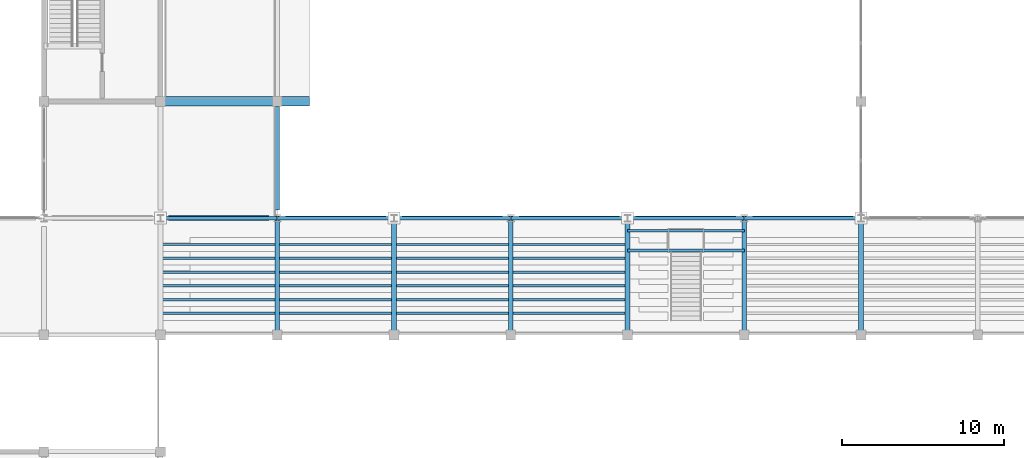
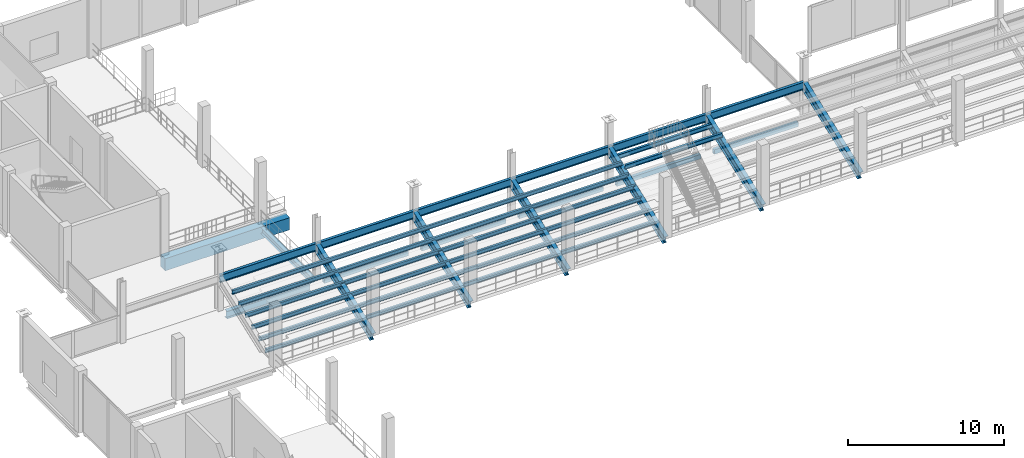
# One storey, part 45 of 120: 28 beams.
"""IFC4 building model written with IfcOpenShell, lengths in metres."""

from ifc_helpers import new_model, si_unit, direction, frame, origin, origin_2d, place, context, subcontext, project, spatial, rectangle, hollow_rectangle, i_section, extrude, material, material_profile, profile_set, type_object, element, save


model = new_model("IFC4")

# Units and contexts
model_context = context("Model", 3, precision=1e-05, world=origin(), true_north=direction((0.0, 1.0)))
body_context = subcontext(model_context, "Body", "Model", "MODEL_VIEW")
ifc_project = project(units=[si_unit("LENGTHUNIT", "METRE"), si_unit("AREAUNIT", "SQUARE_METRE"), si_unit("VOLUMEUNIT", "CUBIC_METRE"), si_unit("PLANEANGLEUNIT", "RADIAN"), si_unit("MASSUNIT", "GRAM", prefix="KILO")], contexts=[model_context])

# Site, building, storey
site_placement = place(None, origin())
site = spatial("IfcSite", under=ifc_project, at=site_placement, CompositionType="ELEMENT")
building_placement = place(site_placement, origin())
building = spatial("IfcBuilding", under=site, at=building_placement, Name="Vesperath Aquatics Centre", CompositionType="ELEMENT")
storey_placement = place(building_placement, frame((0.0, 0.0, 10.199951171875)))
storey = spatial("IfcBuildingStorey", under=building, at=storey_placement, Name="L02", CompositionType="ELEMENT", Elevation=10.199951171875)

# Beams
ifc_material_1 = material(Name="Concrete C40", Category="concrete")
ifc_material_profile_1 = material_profile(ifc_material_1, rectangle(XDim=0.580078125, YDim=0.949951171875, at=origin_2d()), Name="RC 580x950")
ifc_profile_set_1 = profile_set([ifc_material_profile_1], Name="Concrete C40")
beam_type_1 = type_object("IfcBeamType", Name="BM-DP05", PredefinedType="BEAM", material=ifc_profile_set_1)
beam_1_placement = place(storey_placement, frame((14.39990234375, 93.60009765625, -0.72998046875), z_axis=(1.0, 0.0, 0.0), x_axis=(0.0, 1.0, 0.0)))
element("IfcBeam", 1, at=beam_1_placement, inside=storey, type_object=beam_type_1, Name="Diving Platform Girder DPB5 DP_10M-S", PredefinedType="BEAM", context=body_context, shape_type="SweptSolid", body=[
    extrude(rectangle(XDim=0.580078125, YDim=0.949951171875, at=origin_2d()), origin(), (0.0, 0.0, 1.0), 9.2001953125),
])
ifc_material_2 = material(Name="Steel Q355C", Category="steel")
ifc_material_profile_2 = material_profile(ifc_material_2, i_section(OverallWidth=0.300048828125, OverallDepth=0.587890625, WebThickness=0.011962890625, FlangeThickness=0.02001953125, FilletRadius=0.028076171875, at=origin_2d()), Name="HM 588x300x12x20")
ifc_profile_set_2 = profile_set([ifc_material_profile_2], Name="Steel Q355C")
beam_type_2 = type_object("IfcBeamType", Name="BM-G09", PredefinedType="BEAM", material=ifc_profile_set_2)
beam_2_placement = place(storey_placement, frame((14.89990234375, 86.39990234375, -0.553955078125), z_axis=(1.0, 0.0, 0.0), x_axis=(0.0, 1.0, 0.0)))
element("IfcBeam", 2, at=beam_2_placement, inside=storey, type_object=beam_type_2, Name="Floor Girder B09 L02 N 3-4", PredefinedType="BEAM", context=body_context, shape_type="SweptSolid", body=[
    extrude(i_section(OverallWidth=0.300048828125, OverallDepth=0.587890625, WebThickness=0.011962890625, FlangeThickness=0.02001953125, FilletRadius=0.028076171875, at=origin_2d()), origin(), (0.0, 0.0, 1.0), 6.2001953125),
])
ifc_material_profile_3 = material_profile(ifc_material_2, i_section(OverallWidth=0.300048828125, OverallDepth=0.488037109375, WebThickness=0.010986328125, FlangeThickness=0.01806640625, FilletRadius=0.02587890625, at=origin_2d()), Name="HM 488x300x11x18")
ifc_profile_set_3 = profile_set([ifc_material_profile_3], Name="Steel Q355C")
beam_type_3 = type_object("IfcBeamType", Name="BM-G10", PredefinedType="BEAM", material=ifc_profile_set_3)
beam_3_placement = place(storey_placement, frame((21.60009765625, 86.89990234375, -0.50390625), z_axis=(0.0, 1.0, 0.0), x_axis=(-1.0, 0.0, 0.0)))
element("IfcBeam", 3, at=beam_3_placement, inside=storey, type_object=beam_type_3, Name="Floor Girder B10 L02 4 N-P", PredefinedType="BEAM", context=body_context, shape_type="SweptSolid", body=[
    extrude(i_section(OverallWidth=0.300048828125, OverallDepth=0.488037109375, WebThickness=0.010986328125, FlangeThickness=0.01806640625, FilletRadius=0.02587890625, at=origin_2d()), origin(), (0.0, 0.0, 1.0), 6.400146484375),
])
ifc_material_profile_4 = material_profile(ifc_material_2, i_section(OverallWidth=0.175048828125, OverallDepth=0.35009765625, WebThickness=0.007080078125, FlangeThickness=0.010986328125, FilletRadius=0.012939453125, at=origin_2d()), Name="HN 350x175x7x11")
ifc_profile_set_4 = profile_set([ifc_material_profile_4], Name="Steel Q355C")
beam_type_4 = type_object("IfcBeamType", Name="BM-J05", PredefinedType="JOIST", material=ifc_profile_set_4)
for number, where, z_axis, x_axis, name in (
    (4, (43.199951171875, 84.39697265625, 2.25), (1.0, 0.0, 0.0), (0.0, 1.0, 0.0), "Upper Vomitory Landing Beam J05 VOM08-A"),
    (5, (43.199951171875, 85.6201171875, 2.25), (1.0, 0.0, 0.0), (0.0, 1.0, 0.0), "Upper Vomitory Landing Beam J05 VOM08-B"),
):
    element("IfcBeam", number, at=place(storey_placement, frame(where, z_axis=z_axis, x_axis=x_axis)), inside=storey, type_object=beam_type_4, Name=name, PredefinedType="JOIST", context=body_context, shape_type="SweptSolid", body=[
        extrude(i_section(OverallWidth=0.175048828125, OverallDepth=0.35009765625, WebThickness=0.007080078125, FlangeThickness=0.010986328125, FilletRadius=0.012939453125, at=origin_2d()), origin(), (0.0, 0.0, 1.0), 7.199951171875),
    ])
ifc_material_profile_5 = material_profile(ifc_material_2, i_section(OverallWidth=0.14990234375, OverallDepth=0.300048828125, WebThickness=0.006591796875, FlangeThickness=0.009033203125, FilletRadius=0.012939453125, at=origin_2d()), Name="HN 300x150x6.5x9")
ifc_profile_set_5 = profile_set([ifc_material_profile_5], Name="Steel Q355C")
beam_type_5 = type_object("IfcBeamType", Name="BM-J06", PredefinedType="JOIST", material=ifc_profile_set_5)
for number, where, z_axis, x_axis, name in (
    (6, (14.39990234375, 80.52490234375, 0.320068359375), (1.0, 0.0, 0.0), (0.0, 1.0, 0.0), "Upper Tier Bearer Beam J06 N-R1-U1M"),
    (7, (14.39990234375, 81.375, 0.719970703125), (1.0, 0.0, 0.0), (0.0, 1.0, 0.0), "Upper Tier Bearer Beam J06 N-R2-U1M"),
    (8, (14.39990234375, 82.22509765625, 1.1201171875), (1.0, 0.0, 0.0), (0.0, 1.0, 0.0), "Upper Tier Bearer Beam J06 N-R3-U1M"),
    (9, (14.39990234375, 83.074951171875, 1.52001953125), (1.0, 0.0, 0.0), (0.0, 1.0, 0.0), "Upper Tier Bearer Beam J06 N-R4-U1M"),
    (10, (14.39990234375, 83.925048828125, 1.920166015625), (1.0, 0.0, 0.0), (0.0, 1.0, 0.0), "Upper Tier Bearer Beam J06 N-R5-U1M"),
    (11, (14.39990234375, 84.77490234375, 2.320068359375), (1.0, 0.0, 0.0), (0.0, 1.0, 0.0), "Upper Tier Bearer Beam J06 N-R6-U1M"),
):
    element("IfcBeam", number, at=place(storey_placement, frame(where, z_axis=z_axis, x_axis=x_axis)), inside=storey, type_object=beam_type_5, Name=name, PredefinedType="JOIST", context=body_context, shape_type="SweptSolid", body=[
        extrude(i_section(OverallWidth=0.14990234375, OverallDepth=0.300048828125, WebThickness=0.006591796875, FlangeThickness=0.009033203125, FilletRadius=0.012939453125, at=origin_2d()), origin(), (0.0, 0.0, 1.0), 28.800048828125),
    ])
ifc_material_3 = material(Name="Steel Q355D", Category="steel")
ifc_material_profile_6 = material_profile(ifc_material_3, i_section(OverallWidth=0.300048828125, OverallDepth=0.699951171875, WebThickness=0.012939453125, FlangeThickness=0.02392578125, FilletRadius=0.028076171875, at=origin_2d()), Name="HN 700x300x13x24")
ifc_profile_set_6 = profile_set([ifc_material_profile_6], Name="Steel Q355D")
beam_type_6 = type_object("IfcBeamType", Name="BM-RK02", PredefinedType="USERDEFINED", material=ifc_profile_set_6)
for number, where, z_axis, x_axis, name in (
    (12, (21.60009765625, 79.199951171875, -0.300048828125), (0.0, 0.936320043878, 0.351147797134), (-1.0, 0.0, 0.0), "Upper Stand RAKER Beam RK02 North 4"),
    (13, (28.800048828125, 79.199951171875, -0.300048828125), (0.0, 0.936320043878, 0.351147797134), (-1.0, 0.0, 0.0), "Upper Stand RAKER Beam RK02 North 5"),
    (14, (36.0, 79.199951171875, -0.300048828125), (0.0, 0.936320043878, 0.351147797134), (-1.0, 0.0, 0.0), "Upper Stand RAKER Beam RK02 North 6"),
    (15, (43.199951171875, 79.199951171875, -0.300048828125), (0.0, 0.936320043878, 0.351147797134), (-1.0, 0.0, 0.0), "Upper Stand RAKER Beam RK02 North 7"),
    (16, (50.39990234375, 79.199951171875, -0.300048828125), (0.0, 0.936320043878, 0.351147797134), (-1.0, 0.0, 0.0), "Upper Stand RAKER Beam RK02 North 8"),
    (17, (57.60009765625, 79.199951171875, -0.300048828125), (0.0, 0.936320043878, 0.351147797134), (-1.0, 0.0, 0.0), "Upper Stand RAKER Beam RK02 North 9"),
):
    element("IfcBeam", number, at=place(storey_placement, frame(where, z_axis=z_axis, x_axis=x_axis)), inside=storey, type_object=beam_type_6, Name=name, ObjectType="RAKER", PredefinedType="USERDEFINED", context=body_context, shape_type="SweptSolid", body=[
        extrude(i_section(OverallWidth=0.300048828125, OverallDepth=0.699951171875, WebThickness=0.012939453125, FlangeThickness=0.02392578125, FilletRadius=0.028076171875, at=origin_2d()), origin(), (0.0, 0.0, 1.0), 7.689697265625),
    ])
ifc_material_profile_7 = material_profile(ifc_material_3, i_section(OverallWidth=0.199951171875, OverallDepth=0.60009765625, WebThickness=0.010986328125, FlangeThickness=0.01708984375, FilletRadius=0.02197265625, at=origin_2d()), Name="HN 600x200x11x17")
ifc_profile_set_7 = profile_set([ifc_material_profile_7], Name="Steel Q355D")
beam_type_7 = type_object("IfcBeamType", Name="BM-RKH1", PredefinedType="BEAM", material=ifc_profile_set_7)
beam_4_placement = place(storey_placement, frame((14.419921875, 86.39990234375, 2.400146484375), z_axis=(1.0, 0.0, 0.0), x_axis=(0.0, 1.0, 0.0)))
element("IfcBeam", 18, at=beam_4_placement, inside=storey, type_object=beam_type_7, Name="Upper Bowl Rim Girder RKH1 North 3-4", PredefinedType="BEAM", context=body_context, shape_type="SweptSolid", body=[
    extrude(i_section(OverallWidth=0.199951171875, OverallDepth=0.60009765625, WebThickness=0.010986328125, FlangeThickness=0.01708984375, FilletRadius=0.02197265625, at=origin_2d()), origin(), (0.0, 0.0, 1.0), 7.16015625),
])
for number, where, z_axis, x_axis, name in (
    (19, (21.6201171875, 86.39990234375, 2.400146484375), (1.0, 0.0, 0.0), (0.0, 1.0, 0.0), "Upper Bowl Rim Girder RKH1 North 4-5"),
    (20, (28.820068359375, 86.39990234375, 2.400146484375), (1.0, 0.0, 0.0), (0.0, 1.0, 0.0), "Upper Bowl Rim Girder RKH1 North 5-6"),
    (21, (36.02001953125, 86.39990234375, 2.400146484375), (1.0, 0.0, 0.0), (0.0, 1.0, 0.0), "Upper Bowl Rim Girder RKH1 North 6-7"),
    (22, (43.219970703125, 86.39990234375, 2.400146484375), (1.0, 0.0, 0.0), (0.0, 1.0, 0.0), "Upper Bowl Rim Girder RKH1 North 7-8"),
):
    element("IfcBeam", number, at=place(storey_placement, frame(where, z_axis=z_axis, x_axis=x_axis)), inside=storey, type_object=beam_type_7, Name=name, PredefinedType="BEAM", context=body_context, shape_type="SweptSolid", body=[
        extrude(i_section(OverallWidth=0.199951171875, OverallDepth=0.60009765625, WebThickness=0.010986328125, FlangeThickness=0.01708984375, FilletRadius=0.02197265625, at=origin_2d()), origin(), (0.0, 0.0, 1.0), 7.159912109375),
    ])
beam_5_placement = place(storey_placement, frame((50.419921875, 86.39990234375, 2.400146484375), z_axis=(1.0, 0.0, 0.0), x_axis=(0.0, 1.0, 0.0)))
element("IfcBeam", 23, at=beam_5_placement, inside=storey, type_object=beam_type_7, Name="Upper Bowl Rim Girder RKH1 North 8-9", PredefinedType="BEAM", context=body_context, shape_type="SweptSolid", body=[
    extrude(i_section(OverallWidth=0.199951171875, OverallDepth=0.60009765625, WebThickness=0.010986328125, FlangeThickness=0.01708984375, FilletRadius=0.02197265625, at=origin_2d()), origin(), (0.0, 0.0, 1.0), 7.16015625),
])
ifc_material_profile_8 = material_profile(ifc_material_3, hollow_rectangle(XDim=0.25, YDim=0.35009765625, WallThickness=0.011962890625, at=origin_2d()), Name="RHS 350x250x12")
ifc_profile_set_8 = profile_set([ifc_material_profile_8], Name="Steel Q355D")
beam_type_8 = type_object("IfcBeamType", Name="BM-SP02", PredefinedType="SPANDREL", material=ifc_profile_set_8)
for number, where, z_axis, x_axis, name in (
    (24, (22.10009765625, 86.39990234375, -0.43505859375), (1.0, 0.0, 0.0), (0.0, 1.0, 0.0), "Floor Girder SP02 L02 N 4-5"),
    (25, (29.300048828125, 86.39990234375, -0.43505859375), (1.0, 0.0, 0.0), (0.0, 1.0, 0.0), "Floor Girder SP02 L02 N 5-6"),
    (26, (36.5, 86.39990234375, -0.43505859375), (1.0, 0.0, 0.0), (0.0, 1.0, 0.0), "Floor Girder SP02 L02 N 6-7"),
    (27, (43.699951171875, 86.39990234375, -0.43505859375), (1.0, 0.0, 0.0), (0.0, 1.0, 0.0), "Floor Girder SP02 L02 N 7-8"),
):
    element("IfcBeam", number, at=place(storey_placement, frame(where, z_axis=z_axis, x_axis=x_axis)), inside=storey, type_object=beam_type_8, Name=name, PredefinedType="SPANDREL", context=body_context, shape_type="SweptSolid", body=[
        extrude(hollow_rectangle(XDim=0.25, YDim=0.35009765625, WallThickness=0.011962890625, at=origin_2d()), origin(), (0.0, 0.0, 1.0), 6.199951171875),
    ])
beam_6_placement = place(storey_placement, frame((50.89990234375, 86.39990234375, -0.43505859375), z_axis=(1.0, 0.0, 0.0), x_axis=(0.0, 1.0, 0.0)))
element("IfcBeam", 28, at=beam_6_placement, inside=storey, type_object=beam_type_8, Name="Floor Girder SP02 L02 N 8-9", PredefinedType="SPANDREL", context=body_context, shape_type="SweptSolid", body=[
    extrude(hollow_rectangle(XDim=0.25, YDim=0.35009765625, WallThickness=0.011962890625, at=origin_2d()), origin(), (0.0, 0.0, 1.0), 6.2001953125),
])

save(model, "model.ifc")
